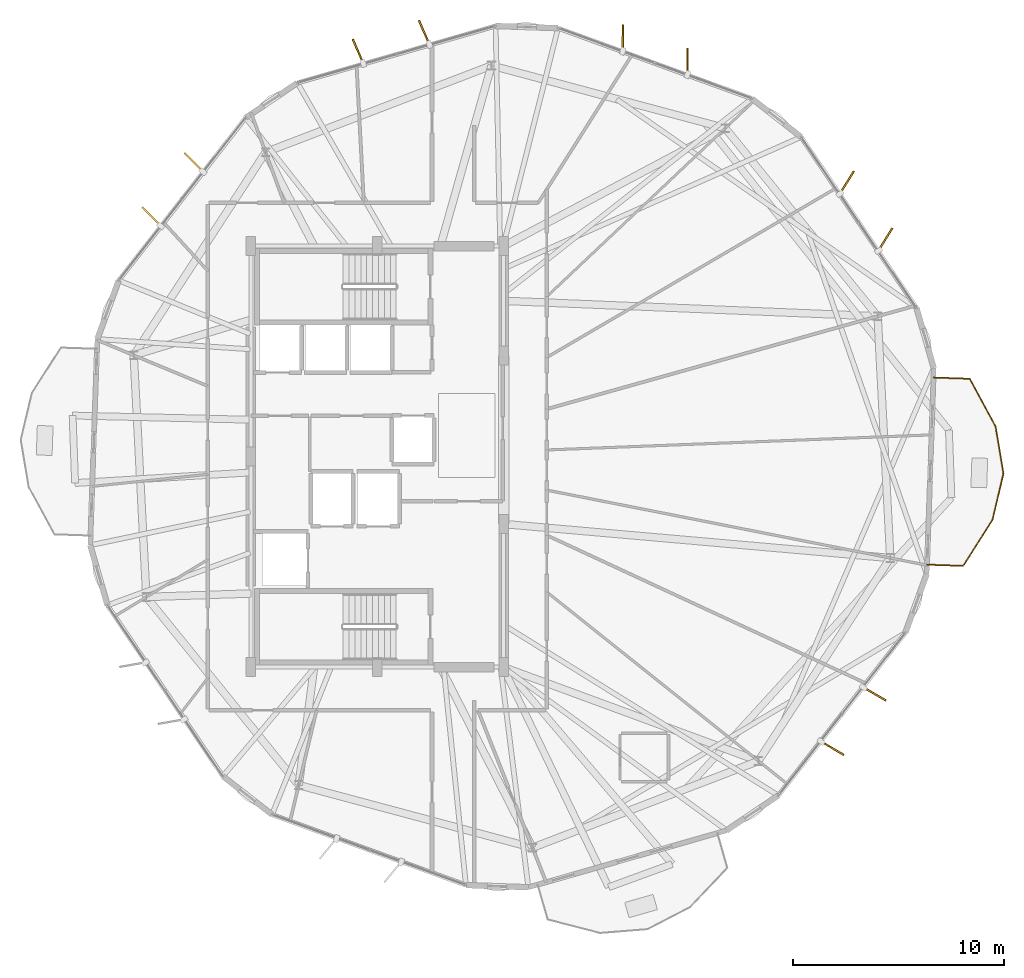
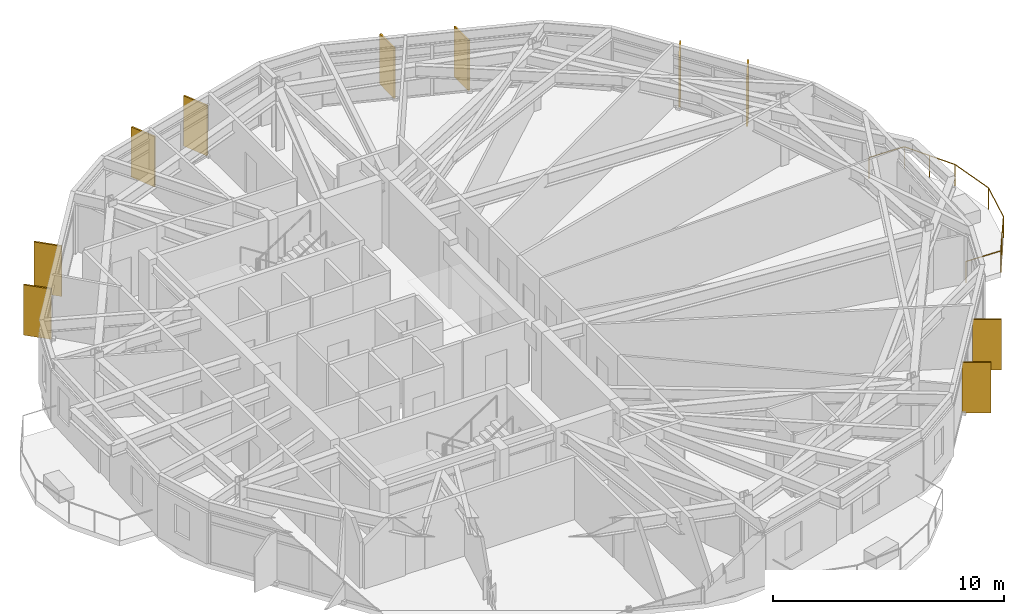
# One storey, part 30 of 30: 10 shading devices, 1 railing.
"""IFC4 building model written with IfcOpenShell, lengths in metres."""

from ifc_helpers import new_model, si_unit, direction, frame, origin, origin_2d, place, context, subcontext, project, spatial, rectangle, circle, extrude, material, layer, layer_set, type_object, element, save


model = new_model("IFC4")

# Units and contexts
model_context = context("Model", 3, precision=1e-05, world=origin(), true_north=direction((0.0, 1.0)))
body_context = subcontext(model_context, "Body", "Model", "MODEL_VIEW")
ifc_project = project(units=[si_unit("LENGTHUNIT", "METRE"), si_unit("AREAUNIT", "SQUARE_METRE"), si_unit("VOLUMEUNIT", "CUBIC_METRE"), si_unit("PLANEANGLEUNIT", "RADIAN"), si_unit("MASSUNIT", "GRAM", prefix="KILO")], contexts=[model_context])

# Site, building, storey
site_placement = place(None, origin())
site = spatial("IfcSite", under=ifc_project, at=site_placement, CompositionType="ELEMENT")
building_placement = place(site_placement, origin())
building = spatial("IfcBuilding", under=site, at=building_placement, Name="Soratama Intermodal Tower", CompositionType="ELEMENT")
storey_placement = place(building_placement, frame((0.0, 0.0, 223.0)))
storey = spatial("IfcBuildingStorey", under=building, at=storey_placement, Name="L56", CompositionType="ELEMENT", Elevation=223.0)

# Railing
ifc_material_1 = material(Name="Laminated glass and stainless steel balustrade", Category="steel")
railing_type = type_object("IfcRailingType", Name="RL-BAL-1150", PredefinedType="BALUSTRADE", material=ifc_material_1)
railing_placement = place(storey_placement, frame((65.01904296875, 28.759521484375, 0.0)))
element("IfcRailing", 1, at=railing_placement, inside=storey, type_object=railing_type, Name="L56 Balcony Balustrade 1", PredefinedType="BALUSTRADE", context=body_context, shape_type="SweptSolid", body=[
    extrude(circle(Radius=0.02392578125, at=origin_2d()), frame((0.0, 0.0, 1.1259765625), z_axis=(0.999399914295, -0.034638292484, 0.0), x_axis=(0.034638292484, 0.999399914295, 0.0)), (0.0, 0.0, 1.0), 1.7197265625),
    extrude(circle(Radius=0.02392578125, at=origin_2d()), frame((1.71875, -0.0595703125, 1.1259765625), z_axis=(0.47769897287, -0.878523586091, 0.0), x_axis=(0.878523586091, 0.47769897287, 0.0)), (0.0, 0.0, 1.0), 2.58203125),
    extrude(circle(Radius=0.02392578125, at=origin_2d()), frame((2.9521484375, -2.327880859375, 1.1259765625), z_axis=(0.163962807137, -0.986466521417, 0.0), x_axis=(0.986466521417, 0.163962807137, 0.0)), (0.0, 0.0, 1.0), 2.269287109375),
    extrude(circle(Radius=0.02392578125, at=origin_2d()), frame((3.32421875, -4.56640625, 1.1259765625), z_axis=(-0.231712632919, -0.97278428017, 0.0), x_axis=(0.97278428017, -0.231712632919, 0.0)), (0.0, 0.0, 1.0), 2.26953125),
    extrude(circle(Radius=0.02392578125, at=origin_2d()), frame((2.79833984375, -6.774169921875, 1.1259765625), z_axis=(-0.537187498904, -0.843462856931, 0.0), x_axis=(0.843462856931, -0.537187498904, 0.0)), (0.0, 0.0, 1.0), 2.581787109375),
    extrude(circle(Radius=0.02392578125, at=origin_2d()), frame((1.411376953125, -8.951904296875, 1.1259765625), z_axis=(-0.999404987469, 0.034491608004, 0.0), x_axis=(-0.034491608004, -0.999404987469, 0.0)), (0.0, 0.0, 1.0), 1.719970703125),
    extrude(circle(Radius=0.02099609375, at=origin_2d()), origin(), (0.0, 0.0, 1.0), 1.101806640625),
    extrude(circle(Radius=0.02099609375, at=origin_2d()), frame((1.71875, -0.0595703125, 0.0)), (0.0, 0.0, 1.0), 1.101806640625),
    extrude(circle(Radius=0.02099609375, at=origin_2d()), frame((2.33544921875, -1.19384765625, 0.0)), (0.0, 0.0, 1.0), 1.101806640625),
    extrude(circle(Radius=0.02099609375, at=origin_2d()), frame((2.9521484375, -2.327880859375, 0.0)), (0.0, 0.0, 1.0), 1.101806640625),
    extrude(circle(Radius=0.02099609375, at=origin_2d()), frame((3.32421875, -4.56640625, 0.0)), (0.0, 0.0, 1.0), 1.101806640625),
    extrude(circle(Radius=0.02099609375, at=origin_2d()), frame((2.79833984375, -6.774169921875, 0.0)), (0.0, 0.0, 1.0), 1.101806640625),
    extrude(circle(Radius=0.02099609375, at=origin_2d()), frame((2.10498046875, -7.863037109375, 0.0)), (0.0, 0.0, 1.0), 1.101806640625),
    extrude(circle(Radius=0.02099609375, at=origin_2d()), frame((1.411376953125, -8.951904296875, 0.0)), (0.0, 0.0, 1.0), 1.101806640625),
    extrude(circle(Radius=0.02099609375, at=origin_2d()), frame((-0.3076171875, -8.892578125, 0.0)), (0.0, 0.0, 1.0), 1.101806640625),
])

# Shading devices
ifc_material_2 = material(Name="Champagne anodised aluminium solar fin", Category="aluminium")
ifc_layer = layer(ifc_material_2, 0.080078125)
ifc_layer_set = layer_set([ifc_layer], Name="Champagne anodised aluminium solar fin")
shading_device_type = type_object("IfcShadingDeviceType", Name="SH-FIN-1250", PredefinedType="USERDEFINED", material=ifc_layer_set)
for number, where, z_axis, x_axis, name in (
    (2, (53.332763671875, 43.767578125, 0.02001953125), (0.0, 0.0, 1.0), (0.009773688199, 0.999952236369, 0.0), "L56 Solar Fin F01-1"),
    (3, (50.263427734375, 44.883544921875, 0.02001953125), (0.0, 0.0, 1.0), (0.009773688199, 0.999952236369, 0.0), "L56 Solar Fin F01-2"),
    (4, (40.827392578125, 45.147705078125, 0.02001953125), (0.0, 0.0, 1.0), (-0.397788507398, 0.917477140523, 0.0), "L56 Solar Fin F02-1"),
    (5, (37.6884765625, 44.246337890625, 0.02001953125), (0.0, 0.0, 1.0), (-0.397788507398, 0.917477140523, 0.0), "L56 Solar Fin F02-2"),
    (6, (29.884521484375, 38.978515625, 0.02001953125), (0.0, 0.0, 1.0), (-0.702153052995, 0.712026045991, 0.0), "L56 Solar Fin F03-1"),
    (7, (27.87451171875, 36.404296875, 0.02001953125), (0.0, 0.0, 1.0), (-0.702153052995, 0.712026045991, 0.0), "L56 Solar Fin F03-2"),
    (8, (60.218017578125, 11.15283203125, 0.02001953125), (0.0, 0.0, 1.0), (0.861097195167, -0.508440380454, 0.0), "L56 Solar Fin F08-1"),
    (9, (62.227783203125, 13.72705078125, 0.02001953125), (0.0, 0.0, 1.0), (0.861097195167, -0.508440380454, 0.0), "L56 Solar Fin F08-2"),
    (10, (62.730224609375, 35.314453125, 0.02001953125), (0.0, 0.0, 1.0), (0.529623207325, 0.848233021205, 0.0), "L56 Solar Fin F10-1"),
    (11, (60.903076171875, 38.021484375, 0.02001953125), (0.0, 0.0, 1.0), (0.529623207325, 0.848233021205, 0.0), "L56 Solar Fin F10-2"),
):
    element("IfcShadingDevice", number, at=place(storey_placement, frame(where, z_axis=z_axis, x_axis=x_axis)), inside=storey, type_object=shading_device_type, Name=name, ObjectType="FIN", PredefinedType="USERDEFINED", context=body_context, shape_type="SweptSolid", body=[
        extrude(rectangle(XDim=1.25, YDim=0.080078125, at=origin_2d()), origin(), (0.0, 0.0, 1.0), 2.658935546875),
    ])

save(model, "model.ifc")
